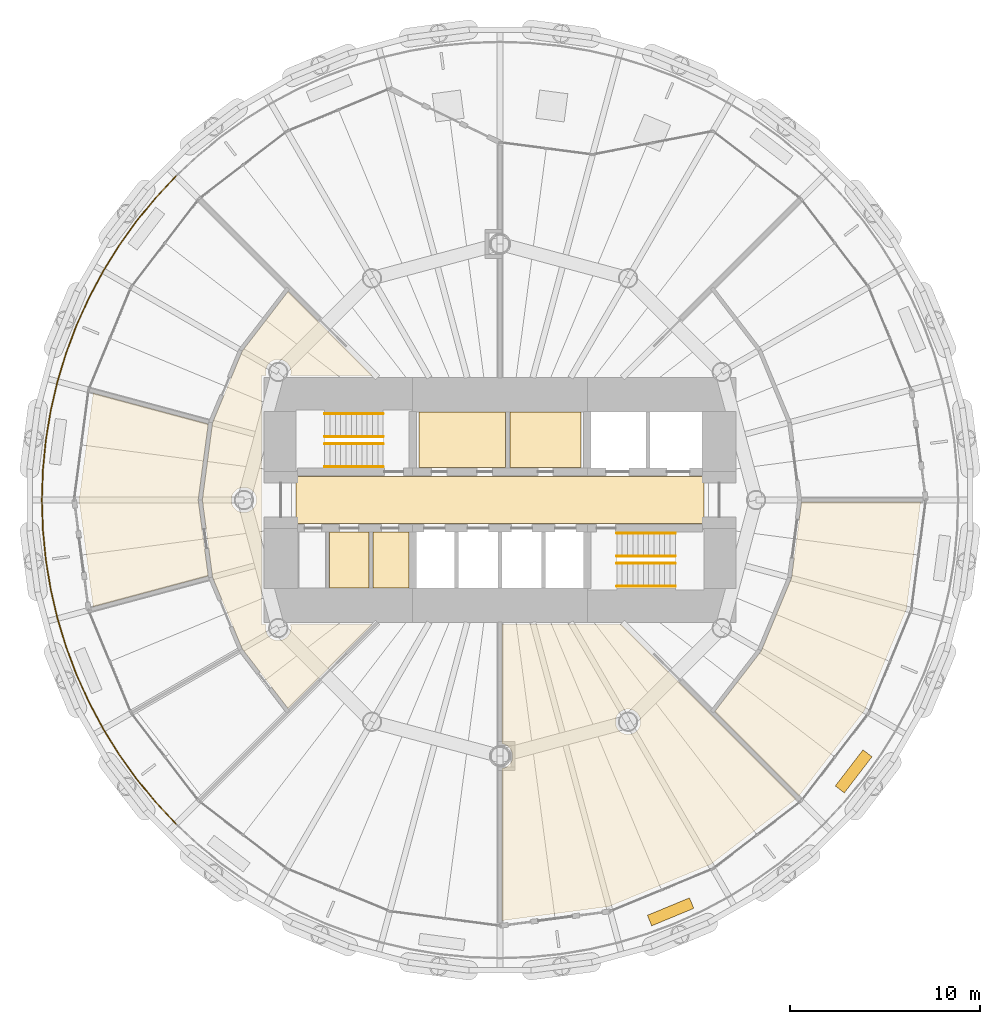
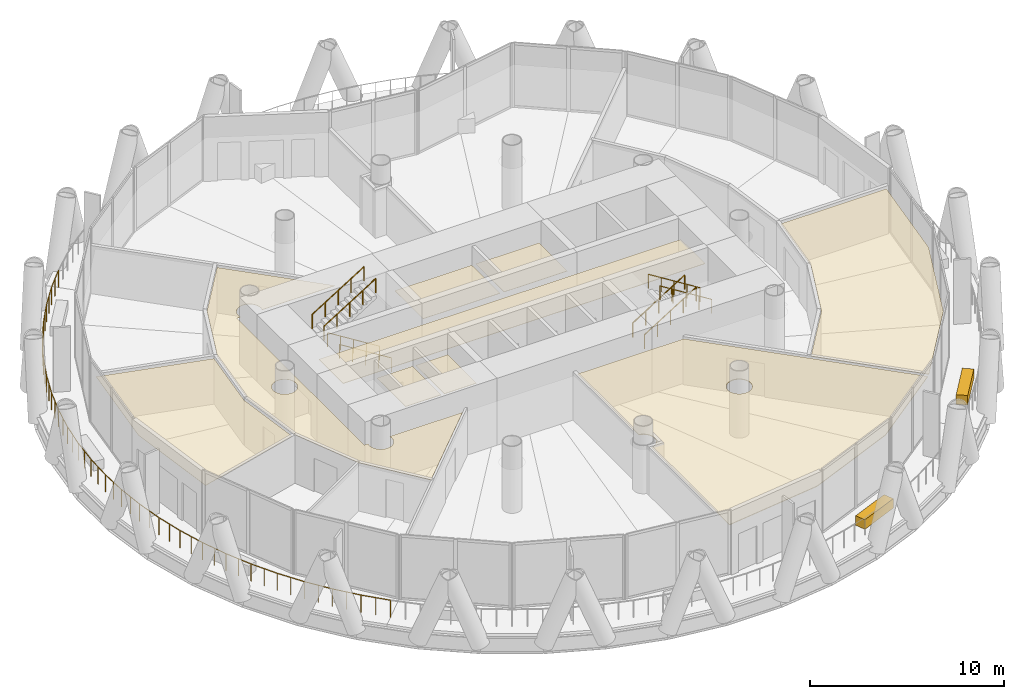
# One storey, part 13 of 15: 11 coverings, 9 railings.
"""IFC4 building model written with IfcOpenShell, lengths in metres."""

from ifc_helpers import new_model, si_unit, direction, frame, origin, origin_2d, place, context, subcontext, project, spatial, polyline, rectangle, circle, outline, extrude, material, layer, layer_set, type_object, element, save


model = new_model("IFC4")

# Units and contexts
model_context = context("Model", 3, precision=1e-05, world=origin(), true_north=direction((0.0, 1.0)))
body_context = subcontext(model_context, "Body", "Model", "MODEL_VIEW")
ifc_project = project(units=[si_unit("LENGTHUNIT", "METRE"), si_unit("AREAUNIT", "SQUARE_METRE"), si_unit("VOLUMEUNIT", "CUBIC_METRE"), si_unit("PLANEANGLEUNIT", "RADIAN"), si_unit("MASSUNIT", "GRAM", prefix="KILO")], contexts=[model_context])

# Site, building, storey
site_placement = place(None, origin())
site = spatial("IfcSite", under=ifc_project, at=site_placement, CompositionType="ELEMENT")
building_placement = place(site_placement, origin())
building = spatial("IfcBuilding", under=site, at=building_placement, Name="Qaws Media Tower", CompositionType="ELEMENT")
storey_placement = place(building_placement, frame((0.0, 0.0, 147.800048828125)))
storey = spatial("IfcBuildingStorey", under=building, at=storey_placement, Name="L33", CompositionType="ELEMENT", Elevation=147.800048828125)

# Covering
ifc_material_1 = material(Name="40 perforated acoustic panels with mineral wool backing, suspended", Category="mineral fibre")
ifc_layer_1 = layer(ifc_material_1, 0.0400390625)
ifc_layer_set_1 = layer_set([ifc_layer_1], Name="Acoustic panel ceiling 40")
covering_type_1 = type_object("IfcCoveringType", Name="Acoustic panel ceiling 40", PredefinedType="CEILING", material=ifc_layer_set_1)
covering_1_placement = place(storey_placement, frame((0.0, 0.0, 2.849853515625)))
element("IfcCovering", 1, at=covering_1_placement, inside=storey, type_object=covering_type_1, Name="CL3 ceiling L33-10 IT training room", PredefinedType="CEILING", context=body_context, shape_type="SweptSolid", body=[
    extrude(outline(polyline([(71.092529296875, 30.787109375), (65.741943359375, 28.57080078125), (60.112548828125, 27.82958984375), (60.112548828125, 35.8427734375), (60.1728515625, 35.854736328125), (60.255615234375, 35.8828125), (60.333984375, 35.92138671875), (60.40673828125, 35.969970703125), (60.472412109375, 36.027587890625), (60.530029296875, 36.09326171875), (60.57861328125, 36.166015625), (60.6171875, 36.244384765625), (60.645263671875, 36.3271484375), (60.662353515625, 36.412841796875), (60.66796875, 36.5), (60.662353515625, 36.587158203125), (60.645263671875, 36.6728515625), (60.6171875, 36.755615234375), (60.57861328125, 36.833984375), (60.530029296875, 36.90673828125), (60.472412109375, 36.972412109375), (60.40673828125, 37.030029296875), (60.333984375, 37.07861328125), (60.255615234375, 37.1171875), (60.1728515625, 37.145263671875), (60.112548828125, 37.1572265625), (60.112548828125, 43.4375), (66.4033203125, 43.4375), (75.597412109375, 34.24365234375), (71.092529296875, 30.787109375)]), holes=[polyline([(67.3671875, 38.052978515625), (67.395263671875, 38.1357421875), (67.412353515625, 38.221435546875), (67.41796875, 38.30859375), (67.412353515625, 38.395751953125), (67.395263671875, 38.4814453125), (67.3671875, 38.564208984375), (67.32861328125, 38.642578125), (67.280029296875, 38.71533203125), (67.222412109375, 38.781005859375), (67.15673828125, 38.838623046875), (67.083984375, 38.88720703125), (67.005615234375, 38.92578125), (66.9228515625, 38.953857421875), (66.837158203125, 38.970947265625), (66.75, 38.976806640625), (66.662841796875, 38.970947265625), (66.5771484375, 38.953857421875), (66.494384765625, 38.92578125), (66.416015625, 38.88720703125), (66.34326171875, 38.838623046875), (66.277587890625, 38.781005859375), (66.219970703125, 38.71533203125), (66.17138671875, 38.642578125), (66.1328125, 38.564208984375), (66.104736328125, 38.4814453125), (66.087646484375, 38.395751953125), (66.08203125, 38.30859375), (66.087646484375, 38.221435546875), (66.104736328125, 38.1357421875), (66.1328125, 38.052978515625), (66.17138671875, 37.974609375), (66.219970703125, 37.902099609375), (66.277587890625, 37.836181640625), (66.34326171875, 37.77880859375), (66.416015625, 37.730224609375), (66.494384765625, 37.69140625), (66.5771484375, 37.663330078125), (66.662841796875, 37.646484375), (66.75, 37.640625), (66.837158203125, 37.646484375), (66.9228515625, 37.663330078125), (67.005615234375, 37.69140625), (67.083984375, 37.730224609375), (67.15673828125, 37.77880859375), (67.222412109375, 37.836181640625), (67.280029296875, 37.902099609375), (67.32861328125, 37.974609375), (67.3671875, 38.052978515625)])]), origin(), (0.0, 0.0, 1.0), 0.0400390625),
])

# Railing
ifc_material_2 = material(Name="Stainless steel and glass guard", Category="steel")
railing_type_1 = type_object("IfcRailingType", Name="Balcony guard 1100", PredefinedType="GUARDRAIL", material=ifc_material_2)
railing_placement = place(storey_placement, frame((42.92333984375, 67.07666015625, 0.0)))
element("IfcRailing", 2, at=railing_placement, inside=storey, type_object=railing_type_1, Name="GR1 balcony guard L33-2", PredefinedType="GUARDRAIL", context=body_context, shape_type="SweptSolid", body=[
    extrude(circle(Radius=0.02392578125, at=origin_2d()), frame((0.0, 0.0, 1.076171875), z_axis=(-0.683555646709, -0.729898402418, 0.0), x_axis=(0.729898402418, -0.683555646709, 0.0)), (0.0, 0.0, 1.0), 1.58056640625),
    extrude(circle(Radius=0.02392578125, at=origin_2d()), frame((-1.080322265625, -1.153564453125, 1.076171875), z_axis=(-0.63440657975, -0.772999541766, 0.0), x_axis=(0.772999541766, -0.63440657975, 0.0)), (0.0, 0.0, 1.0), 1.580078125),
    extrude(circle(Radius=0.02392578125, at=origin_2d()), frame((-2.082763671875, -2.375, 1.076171875), z_axis=(-0.582508735945, -0.812824441406, 0.0), x_axis=(0.812824441406, -0.582508735945, 0.0)), (0.0, 0.0, 1.0), 1.58056640625),
    extrude(circle(Radius=0.02392578125, at=origin_2d()), frame((-3.00341796875, -3.65966796875, 1.076171875), z_axis=(-0.52803952369, -0.849219795707, 0.0), x_axis=(0.849219795707, -0.52803952369, 0.0)), (0.0, 0.0, 1.0), 1.580322265625),
    extrude(circle(Radius=0.02392578125, at=origin_2d()), frame((-3.837890625, -5.001708984375, 1.076171875), z_axis=(-0.471333764777, -0.881954920719, 0.0), x_axis=(0.881954920719, -0.471333764777, 0.0)), (0.0, 0.0, 1.0), 1.580322265625),
    extrude(circle(Radius=0.02392578125, at=origin_2d()), frame((-4.582763671875, -6.3955078125, 1.076171875), z_axis=(-0.412778439287, -0.910831466331, 0.0), x_axis=(0.910831466331, -0.412778439287, 0.0)), (0.0, 0.0, 1.0), 1.580322265625),
    extrude(circle(Radius=0.02392578125, at=origin_2d()), frame((-5.235107421875, -7.8349609375, 1.076171875), z_axis=(-0.352240609491, -0.935909479077, 0.0), x_axis=(0.935909479077, -0.352240609491, 0.0)), (0.0, 0.0, 1.0), 1.580322265625),
    extrude(circle(Radius=0.02392578125, at=origin_2d()), frame((-5.791748046875, -9.31396484375, 1.076171875), z_axis=(-0.290294671331, -0.956937304005, 0.0), x_axis=(0.956937304005, -0.290294671331, 0.0)), (0.0, 0.0, 1.0), 1.580322265625),
    extrude(circle(Radius=0.02392578125, at=origin_2d()), frame((-6.25048828125, -10.826171875, 1.076171875), z_axis=(-0.227092872212, -0.973873106411, 0.0), x_axis=(0.973873106411, -0.227092872212, 0.0)), (0.0, 0.0, 1.0), 1.580322265625),
    extrude(circle(Radius=0.02392578125, at=origin_2d()), frame((-6.609375, -12.365234375, 1.076171875), z_axis=(-0.162820588709, -0.986655692677, 0.0), x_axis=(0.986655692677, -0.162820588709, 0.0)), (0.0, 0.0, 1.0), 1.580322265625),
    extrude(circle(Radius=0.02392578125, at=origin_2d()), frame((-6.86669921875, -13.924560546875, 1.076171875), z_axis=(-0.098111534692, -0.995175425119, 0.0), x_axis=(0.995175425119, -0.098111534692, 0.0)), (0.0, 0.0, 1.0), 1.580078125),
    extrude(circle(Radius=0.02392578125, at=origin_2d()), frame((-7.021728515625, -15.4970703125, 1.076171875), z_axis=(-0.032594727249, -0.999468650712, 0.0), x_axis=(0.999468650712, -0.032594727249, 0.0)), (0.0, 0.0, 1.0), 1.580322265625),
    extrude(circle(Radius=0.02392578125, at=origin_2d()), frame((-7.0732421875, -17.07666015625, 1.076171875), z_axis=(0.032594727249, -0.999468650712, 0.0), x_axis=(0.999468650712, 0.032594727249, 0.0)), (0.0, 0.0, 1.0), 1.580322265625),
    extrude(circle(Radius=0.02392578125, at=origin_2d()), frame((-7.021728515625, -18.65625, 1.076171875), z_axis=(0.098111534692, -0.995175425119, 0.0), x_axis=(0.995175425119, 0.098111534692, 0.0)), (0.0, 0.0, 1.0), 1.580078125),
    extrude(circle(Radius=0.02392578125, at=origin_2d()), frame((-6.86669921875, -20.228759765625, 1.076171875), z_axis=(0.162820588709, -0.986655692677, 0.0), x_axis=(0.986655692677, 0.162820588709, 0.0)), (0.0, 0.0, 1.0), 1.580322265625),
    extrude(circle(Radius=0.02392578125, at=origin_2d()), frame((-6.609375, -21.7880859375, 1.076171875), z_axis=(0.227092872212, -0.973873106411, 0.0), x_axis=(0.973873106411, 0.227092872212, 0.0)), (0.0, 0.0, 1.0), 1.580322265625),
    extrude(circle(Radius=0.02392578125, at=origin_2d()), frame((-6.25048828125, -23.3271484375, 1.076171875), z_axis=(0.290294671331, -0.956937304005, 0.0), x_axis=(0.956937304005, 0.290294671331, 0.0)), (0.0, 0.0, 1.0), 1.580322265625),
    extrude(circle(Radius=0.02392578125, at=origin_2d()), frame((-5.791748046875, -24.83935546875, 1.076171875), z_axis=(0.352240609491, -0.935909479077, 0.0), x_axis=(0.935909479077, 0.352240609491, 0.0)), (0.0, 0.0, 1.0), 1.580322265625),
    extrude(circle(Radius=0.02392578125, at=origin_2d()), frame((-5.235107421875, -26.318359375, 1.076171875), z_axis=(0.412778439287, -0.910831466331, 0.0), x_axis=(0.910831466331, 0.412778439287, 0.0)), (0.0, 0.0, 1.0), 1.580322265625),
    extrude(circle(Radius=0.02392578125, at=origin_2d()), frame((-4.582763671875, -27.7578125, 1.076171875), z_axis=(0.471333764777, -0.881954920719, 0.0), x_axis=(0.881954920719, 0.471333764777, 0.0)), (0.0, 0.0, 1.0), 1.580322265625),
    extrude(circle(Radius=0.02392578125, at=origin_2d()), frame((-3.837890625, -29.151611328125, 1.076171875), z_axis=(0.52803952369, -0.849219795707, 0.0), x_axis=(0.849219795707, 0.52803952369, 0.0)), (0.0, 0.0, 1.0), 1.580322265625),
    extrude(circle(Radius=0.02392578125, at=origin_2d()), frame((-3.00341796875, -30.49365234375, 1.076171875), z_axis=(0.582508735945, -0.812824441406, 0.0), x_axis=(0.812824441406, 0.582508735945, 0.0)), (0.0, 0.0, 1.0), 1.58056640625),
    extrude(circle(Radius=0.02392578125, at=origin_2d()), frame((-2.082763671875, -31.7783203125, 1.076171875), z_axis=(0.63440657975, -0.772999541766, 0.0), x_axis=(0.772999541766, 0.63440657975, 0.0)), (0.0, 0.0, 1.0), 1.580078125),
    extrude(circle(Radius=0.02392578125, at=origin_2d()), frame((-1.080322265625, -32.999755859375, 1.076171875), z_axis=(0.683555646709, -0.729898402418, 0.0), x_axis=(0.729898402418, 0.683555646709, 0.0)), (0.0, 0.0, 1.0), 1.58056640625),
    extrude(circle(Radius=0.02099609375, at=origin_2d()), origin(), (0.0, 0.0, 1.0), 1.052001953125),
    extrude(circle(Radius=0.02099609375, at=origin_2d()), frame((-0.5400390625, -0.57666015625, 0.0)), (0.0, 0.0, 1.0), 1.052001953125),
    extrude(circle(Radius=0.02099609375, at=origin_2d()), frame((-1.080322265625, -1.153564453125, 0.0)), (0.0, 0.0, 1.0), 1.052001953125),
    extrude(circle(Radius=0.02099609375, at=origin_2d()), frame((-1.58154296875, -1.76416015625, 0.0)), (0.0, 0.0, 1.0), 1.052001953125),
    extrude(circle(Radius=0.02099609375, at=origin_2d()), frame((-2.082763671875, -2.375, 0.0)), (0.0, 0.0, 1.0), 1.052001953125),
    extrude(circle(Radius=0.02099609375, at=origin_2d()), frame((-2.54296875, -3.017333984375, 0.0)), (0.0, 0.0, 1.0), 1.052001953125),
    extrude(circle(Radius=0.02099609375, at=origin_2d()), frame((-3.00341796875, -3.65966796875, 0.0)), (0.0, 0.0, 1.0), 1.052001953125),
    extrude(circle(Radius=0.02099609375, at=origin_2d()), frame((-3.420654296875, -4.33056640625, 0.0)), (0.0, 0.0, 1.0), 1.052001953125),
    extrude(circle(Radius=0.02099609375, at=origin_2d()), frame((-3.837890625, -5.001708984375, 0.0)), (0.0, 0.0, 1.0), 1.052001953125),
    extrude(circle(Radius=0.02099609375, at=origin_2d()), frame((-4.21044921875, -5.69873046875, 0.0)), (0.0, 0.0, 1.0), 1.052001953125),
    extrude(circle(Radius=0.02099609375, at=origin_2d()), frame((-4.582763671875, -6.3955078125, 0.0)), (0.0, 0.0, 1.0), 1.052001953125),
    extrude(circle(Radius=0.02099609375, at=origin_2d()), frame((-4.908935546875, -7.115234375, 0.0)), (0.0, 0.0, 1.0), 1.052001953125),
    extrude(circle(Radius=0.02099609375, at=origin_2d()), frame((-5.235107421875, -7.8349609375, 0.0)), (0.0, 0.0, 1.0), 1.052001953125),
    extrude(circle(Radius=0.02099609375, at=origin_2d()), frame((-5.513427734375, -8.574462890625, 0.0)), (0.0, 0.0, 1.0), 1.052001953125),
    extrude(circle(Radius=0.02099609375, at=origin_2d()), frame((-5.791748046875, -9.31396484375, 0.0)), (0.0, 0.0, 1.0), 1.052001953125),
    extrude(circle(Radius=0.02099609375, at=origin_2d()), frame((-6.02099609375, -10.070068359375, 0.0)), (0.0, 0.0, 1.0), 1.052001953125),
    extrude(circle(Radius=0.02099609375, at=origin_2d()), frame((-6.25048828125, -10.826171875, 0.0)), (0.0, 0.0, 1.0), 1.052001953125),
    extrude(circle(Radius=0.02099609375, at=origin_2d()), frame((-6.429931640625, -11.595703125, 0.0)), (0.0, 0.0, 1.0), 1.052001953125),
    extrude(circle(Radius=0.02099609375, at=origin_2d()), frame((-6.609375, -12.365234375, 0.0)), (0.0, 0.0, 1.0), 1.052001953125),
    extrude(circle(Radius=0.02099609375, at=origin_2d()), frame((-6.738037109375, -13.14501953125, 0.0)), (0.0, 0.0, 1.0), 1.052001953125),
    extrude(circle(Radius=0.02099609375, at=origin_2d()), frame((-6.86669921875, -13.924560546875, 0.0)), (0.0, 0.0, 1.0), 1.052001953125),
    extrude(circle(Radius=0.02099609375, at=origin_2d()), frame((-6.9443359375, -14.7109375, 0.0)), (0.0, 0.0, 1.0), 1.052001953125),
    extrude(circle(Radius=0.02099609375, at=origin_2d()), frame((-7.021728515625, -15.4970703125, 0.0)), (0.0, 0.0, 1.0), 1.052001953125),
    extrude(circle(Radius=0.02099609375, at=origin_2d()), frame((-7.04736328125, -16.286865234375, 0.0)), (0.0, 0.0, 1.0), 1.052001953125),
    extrude(circle(Radius=0.02099609375, at=origin_2d()), frame((-7.0732421875, -17.07666015625, 0.0)), (0.0, 0.0, 1.0), 1.052001953125),
    extrude(circle(Radius=0.02099609375, at=origin_2d()), frame((-7.04736328125, -17.866455078125, 0.0)), (0.0, 0.0, 1.0), 1.052001953125),
    extrude(circle(Radius=0.02099609375, at=origin_2d()), frame((-7.021728515625, -18.65625, 0.0)), (0.0, 0.0, 1.0), 1.052001953125),
    extrude(circle(Radius=0.02099609375, at=origin_2d()), frame((-6.9443359375, -19.4423828125, 0.0)), (0.0, 0.0, 1.0), 1.052001953125),
    extrude(circle(Radius=0.02099609375, at=origin_2d()), frame((-6.86669921875, -20.228759765625, 0.0)), (0.0, 0.0, 1.0), 1.052001953125),
    extrude(circle(Radius=0.02099609375, at=origin_2d()), frame((-6.738037109375, -21.00830078125, 0.0)), (0.0, 0.0, 1.0), 1.052001953125),
    extrude(circle(Radius=0.02099609375, at=origin_2d()), frame((-6.609375, -21.7880859375, 0.0)), (0.0, 0.0, 1.0), 1.052001953125),
    extrude(circle(Radius=0.02099609375, at=origin_2d()), frame((-6.429931640625, -22.5576171875, 0.0)), (0.0, 0.0, 1.0), 1.052001953125),
    extrude(circle(Radius=0.02099609375, at=origin_2d()), frame((-6.25048828125, -23.3271484375, 0.0)), (0.0, 0.0, 1.0), 1.052001953125),
    extrude(circle(Radius=0.02099609375, at=origin_2d()), frame((-6.02099609375, -24.083251953125, 0.0)), (0.0, 0.0, 1.0), 1.052001953125),
    extrude(circle(Radius=0.02099609375, at=origin_2d()), frame((-5.791748046875, -24.83935546875, 0.0)), (0.0, 0.0, 1.0), 1.052001953125),
    extrude(circle(Radius=0.02099609375, at=origin_2d()), frame((-5.513427734375, -25.578857421875, 0.0)), (0.0, 0.0, 1.0), 1.052001953125),
    extrude(circle(Radius=0.02099609375, at=origin_2d()), frame((-5.235107421875, -26.318359375, 0.0)), (0.0, 0.0, 1.0), 1.052001953125),
    extrude(circle(Radius=0.02099609375, at=origin_2d()), frame((-4.908935546875, -27.0380859375, 0.0)), (0.0, 0.0, 1.0), 1.052001953125),
    extrude(circle(Radius=0.02099609375, at=origin_2d()), frame((-4.582763671875, -27.7578125, 0.0)), (0.0, 0.0, 1.0), 1.052001953125),
    extrude(circle(Radius=0.02099609375, at=origin_2d()), frame((-4.21044921875, -28.45458984375, 0.0)), (0.0, 0.0, 1.0), 1.052001953125),
    extrude(circle(Radius=0.02099609375, at=origin_2d()), frame((-3.837890625, -29.151611328125, 0.0)), (0.0, 0.0, 1.0), 1.052001953125),
    extrude(circle(Radius=0.02099609375, at=origin_2d()), frame((-3.420654296875, -29.82275390625, 0.0)), (0.0, 0.0, 1.0), 1.052001953125),
    extrude(circle(Radius=0.02099609375, at=origin_2d()), frame((-3.00341796875, -30.49365234375, 0.0)), (0.0, 0.0, 1.0), 1.052001953125),
    extrude(circle(Radius=0.02099609375, at=origin_2d()), frame((-2.54296875, -31.135986328125, 0.0)), (0.0, 0.0, 1.0), 1.052001953125),
    extrude(circle(Radius=0.02099609375, at=origin_2d()), frame((-2.082763671875, -31.7783203125, 0.0)), (0.0, 0.0, 1.0), 1.052001953125),
    extrude(circle(Radius=0.02099609375, at=origin_2d()), frame((-1.58154296875, -32.38916015625, 0.0)), (0.0, 0.0, 1.0), 1.052001953125),
    extrude(circle(Radius=0.02099609375, at=origin_2d()), frame((-1.080322265625, -32.999755859375, 0.0)), (0.0, 0.0, 1.0), 1.052001953125),
    extrude(circle(Radius=0.02099609375, at=origin_2d()), frame((-0.5400390625, -33.57666015625, 0.0)), (0.0, 0.0, 1.0), 1.052001953125),
    extrude(circle(Radius=0.02099609375, at=origin_2d()), frame((0.0, -34.1533203125, 0.0)), (0.0, 0.0, 1.0), 1.052001953125),
])

# Coverings
ifc_material_3 = material(Name="600 x 600 mineral fibre tiles in exposed grid, suspended", Category="mineral fibre")
ifc_layer_2 = layer(ifc_material_3, 0.02001953125)
ifc_layer_set_2 = layer_set([ifc_layer_2], Name="Mineral fibre tile ceiling 20")
covering_type_2 = type_object("IfcCoveringType", Name="Mineral fibre tile ceiling 20", PredefinedType="CEILING", material=ifc_layer_set_2)
covering_2_placement = place(storey_placement, frame((0.0, 0.0, 2.849853515625)))
element("IfcCovering", 3, at=covering_2_placement, inside=storey, type_object=covering_type_2, Name="CL1 ceiling L33-C07 Ladies toilets", PredefinedType="CEILING", context=body_context, shape_type="SweptSolid", body=[
    extrude(outline(polyline([(55.719970703125, 51.719970703125), (55.719970703125, 54.6298828125), (60.280029296875, 54.6298828125), (60.280029296875, 51.719970703125), (55.719970703125, 51.719970703125)])), origin(), (0.0, 0.0, 1.0), 0.02001953125),
])
covering_3_placement = place(storey_placement, frame((0.0, 0.0, 2.849853515625)))
element("IfcCovering", 4, at=covering_3_placement, inside=storey, type_object=covering_type_2, Name="CL1 ceiling L33-C08 Gents toilets", PredefinedType="CEILING", context=body_context, shape_type="SweptSolid", body=[
    extrude(outline(polyline([(60.52001953125, 51.719970703125), (60.52001953125, 54.6298828125), (64.280029296875, 54.6298828125), (64.280029296875, 51.719970703125), (60.52001953125, 51.719970703125)])), origin(), (0.0, 0.0, 1.0), 0.02001953125),
])
covering_4_placement = place(storey_placement, frame((0.0, 0.0, 2.849853515625)))
element("IfcCovering", 5, at=covering_4_placement, inside=storey, type_object=covering_type_2, Name="CL1 ceiling L33-01-1 Corridor", PredefinedType="CEILING", context=body_context, shape_type="SweptSolid", body=[
    extrude(outline(polyline([(44.3134765625, 50.0), (44.847900390625, 54.06005859375), (46.4150390625, 57.84326171875), (48.8388671875, 61.001953125), (53.2783203125, 56.5625), (48.948974609375, 56.5625), (48.953857421875, 56.5771484375), (48.970947265625, 56.662841796875), (48.976806640625, 56.75), (48.970947265625, 56.837158203125), (48.953857421875, 56.9228515625), (48.92578125, 57.005615234375), (48.88720703125, 57.083984375), (48.838623046875, 57.15673828125), (48.781005859375, 57.222412109375), (48.71533203125, 57.280029296875), (48.642578125, 57.32861328125), (48.564208984375, 57.3671875), (48.4814453125, 57.395263671875), (48.395751953125, 57.412353515625), (48.30859375, 57.41796875), (48.221435546875, 57.412353515625), (48.1357421875, 57.395263671875), (48.052978515625, 57.3671875), (47.974609375, 57.32861328125), (47.902099609375, 57.280029296875), (47.836181640625, 57.222412109375), (47.77880859375, 57.15673828125), (47.730224609375, 57.083984375), (47.69140625, 57.005615234375), (47.663330078125, 56.9228515625), (47.646484375, 56.837158203125), (47.640625, 56.75), (47.646484375, 56.662841796875), (47.663330078125, 56.5771484375), (47.66845703125, 56.5625), (47.4375, 56.5625), (47.4375, 43.4375), (47.66845703125, 43.4375), (47.663330078125, 43.4228515625), (47.646484375, 43.337158203125), (47.640625, 43.25), (47.646484375, 43.162841796875), (47.663330078125, 43.0771484375), (47.69140625, 42.994384765625), (47.730224609375, 42.916015625), (47.77880859375, 42.84326171875), (47.836181640625, 42.777587890625), (47.902099609375, 42.719970703125), (47.974609375, 42.67138671875), (48.052978515625, 42.6328125), (48.1357421875, 42.604736328125), (48.221435546875, 42.587646484375), (48.30859375, 42.58203125), (48.395751953125, 42.587646484375), (48.4814453125, 42.604736328125), (48.564208984375, 42.6328125), (48.642578125, 42.67138671875), (48.71533203125, 42.719970703125), (48.781005859375, 42.777587890625), (48.838623046875, 42.84326171875), (48.88720703125, 42.916015625), (48.92578125, 42.994384765625), (48.953857421875, 43.0771484375), (48.970947265625, 43.162841796875), (48.976806640625, 43.25), (48.970947265625, 43.337158203125), (48.953857421875, 43.4228515625), (48.948974609375, 43.4375), (53.2783203125, 43.4375), (48.8388671875, 38.998046875), (46.4150390625, 42.15673828125), (44.847900390625, 45.93994140625), (44.3134765625, 50.0)]), holes=[polyline([(47.1171875, 49.744384765625), (47.145263671875, 49.8271484375), (47.162353515625, 49.912841796875), (47.16796875, 50.0), (47.162353515625, 50.087158203125), (47.145263671875, 50.1728515625), (47.1171875, 50.255615234375), (47.07861328125, 50.333984375), (47.030029296875, 50.40673828125), (46.972412109375, 50.472412109375), (46.90673828125, 50.530029296875), (46.833984375, 50.57861328125), (46.755615234375, 50.6171875), (46.6728515625, 50.645263671875), (46.587158203125, 50.662353515625), (46.5, 50.66796875), (46.412841796875, 50.662353515625), (46.3271484375, 50.645263671875), (46.244384765625, 50.6171875), (46.166015625, 50.57861328125), (46.09326171875, 50.530029296875), (46.027587890625, 50.472412109375), (45.969970703125, 50.40673828125), (45.92138671875, 50.333984375), (45.8828125, 50.255615234375), (45.854736328125, 50.1728515625), (45.837646484375, 50.087158203125), (45.83203125, 50.0), (45.837646484375, 49.912841796875), (45.854736328125, 49.8271484375), (45.8828125, 49.744384765625), (45.92138671875, 49.666015625), (45.969970703125, 49.59326171875), (46.027587890625, 49.527587890625), (46.09326171875, 49.469970703125), (46.166015625, 49.42138671875), (46.244384765625, 49.3828125), (46.3271484375, 49.354736328125), (46.412841796875, 49.337646484375), (46.5, 49.33203125), (46.587158203125, 49.337646484375), (46.6728515625, 49.354736328125), (46.755615234375, 49.3828125), (46.833984375, 49.42138671875), (46.90673828125, 49.469970703125), (46.972412109375, 49.527587890625), (47.030029296875, 49.59326171875), (47.07861328125, 49.666015625), (47.1171875, 49.744384765625)])]), origin(), (0.0, 0.0, 1.0), 0.02001953125),
])
covering_5_placement = place(storey_placement, frame((0.0, 0.0, 2.849853515625)))
element("IfcCovering", 6, at=covering_5_placement, inside=storey, type_object=covering_type_2, Name="CL1 ceiling L33-06 Server room", PredefinedType="CEILING", context=body_context, shape_type="SweptSolid", body=[
    extrude(outline(polyline([(37.814697265625, 50.0), (38.555908203125, 55.62939453125), (44.614013671875, 54.006103515625), (44.08642578125, 50.0), (44.614013671875, 45.993896484375), (38.555908203125, 44.37060546875), (37.814697265625, 50.0)])), origin(), (0.0, 0.0, 1.0), 0.02001953125),
])
covering_6_placement = place(storey_placement, frame((0.0, 0.0, 2.849853515625)))
element("IfcCovering", 7, at=covering_6_placement, inside=storey, type_object=covering_type_2, Name="CL1 ceiling L33-C06 Mothers' room", PredefinedType="CEILING", context=body_context, shape_type="SweptSolid", body=[
    extrude(outline(polyline([(53.300048828125, 45.35009765625), (53.300048828125, 48.300048828125), (55.199951171875, 48.300048828125), (55.199951171875, 45.35009765625), (53.300048828125, 45.35009765625)])), origin(), (0.0, 0.0, 1.0), 0.02001953125),
])
ifc_material_4 = material(Name="Precast concrete planter with trailing planting", Category="concrete")
ifc_layer_3 = layer(ifc_material_4, 0.60009765625)
ifc_layer_set_3 = layer_set([ifc_layer_3], Name="Planter 2400x600")
covering_type_3 = type_object("IfcCoveringType", Name="Planter 2400x600", PredefinedType="USERDEFINED", material=ifc_layer_set_3)
for number, where, z_axis, x_axis, name in (
    (8, (68.9931640625, 28.288818359375, 0.0), (0.0, 0.0, 1.0), (0.923879532511, 0.382683432365, 0.0), "PL1 balcony planter L33-10"),
    (9, (78.643798828125, 35.694091796875, 0.0), (0.0, 0.0, 1.0), (0.608761429009, 0.793353340291, 0.0), "PL1 balcony planter L33-11"),
):
    element("IfcCovering", number, at=place(storey_placement, frame(where, z_axis=z_axis, x_axis=x_axis)), inside=storey, type_object=covering_type_3, Name=name, ObjectType="PLANTER", PredefinedType="USERDEFINED", context=body_context, shape_type="SweptSolid", body=[
        extrude(rectangle(XDim=2.39990234375, YDim=0.60009765625, at=origin_2d()), origin(), (0.0, 0.0, 1.0), 0.60009765625),
    ])
ifc_material_5 = material(Name="Two layers 12.5 moisture-resistant plasterboard on suspended metal furring", Category="gypsum")
ifc_layer_4 = layer(ifc_material_5, 0.02490234375)
ifc_layer_set_4 = layer_set([ifc_layer_4], Name="Plasterboard ceiling 25")
covering_type_4 = type_object("IfcCoveringType", Name="Plasterboard ceiling 25", PredefinedType="CEILING", material=ifc_layer_set_4)
covering_7_placement = place(storey_placement, frame((0.0, 0.0, 2.849853515625)))
element("IfcCovering", 10, at=covering_7_placement, inside=storey, type_object=covering_type_4, Name="CL2 ceiling L33-C01 Lift lobby", PredefinedType="CEILING", context=body_context, shape_type="SweptSolid", body=[
    extrude(outline(polyline([(49.25, 48.75), (49.25, 51.25), (70.75, 51.25), (70.75, 48.75), (49.25, 48.75)])), origin(), (0.0, 0.0, 1.0), 0.025146484375),
])
covering_8_placement = place(storey_placement, frame((0.0, 0.0, 2.849853515625)))
element("IfcCovering", 11, at=covering_8_placement, inside=storey, type_object=covering_type_4, Name="CL2 ceiling L33-11 IT service office", PredefinedType="CEILING", context=body_context, shape_type="SweptSolid", body=[
    extrude(outline(polyline([(81.42919921875, 44.258056640625), (79.212890625, 38.907470703125), (75.75634765625, 34.402587890625), (71.321533203125, 38.83740234375), (73.781494140625, 42.043212890625), (75.37109375, 45.88134765625), (75.898681640625, 49.887451171875), (82.17041015625, 49.887451171875), (81.42919921875, 44.258056640625)])), origin(), (0.0, 0.0, 1.0), 0.025146484375),
])
covering_9_placement = place(storey_placement, frame((0.0, 0.0, 2.849853515625)))
element("IfcCovering", 12, at=covering_9_placement, inside=storey, type_object=covering_type_4, Name="CL2 ceiling L33-C05 Accessible WC", PredefinedType="CEILING", context=body_context, shape_type="SweptSolid", body=[
    extrude(outline(polyline([(51.0, 45.35009765625), (51.0, 48.300048828125), (53.10009765625, 48.300048828125), (53.10009765625, 45.35009765625), (51.0, 45.35009765625)])), origin(), (0.0, 0.0, 1.0), 0.025146484375),
])

# Railings
ifc_material_6 = material(Name="Steel tube handrail", Category="steel")
railing_type_2 = type_object("IfcRailingType", Name="Stair handrail 900", PredefinedType="HANDRAIL", material=ifc_material_6)
for number, where, name in (
    (13, (53.840087890625, 51.75, 0.175048828125), "HR1 handrail S1 flight 1 L33"),
    (14, (53.840087890625, 52.9599609375, 0.175048828125), "HR1 handrail S1 flight 1 L33"),
):
    element("IfcRailing", number, at=place(storey_placement, frame(where)), inside=storey, type_object=railing_type_2, Name=name, PredefinedType="HANDRAIL", context=body_context, shape_type="SweptSolid", body=[
        extrude(circle(Radius=0.02392578125, at=origin_2d()), frame((0.0, 0.0, 0.8759765625), z_axis=(-0.848028513186, 0.0, 0.529950602248), x_axis=(0.0, -1.0, 0.0)), (0.0, 0.0, 1.0), 3.632080078125),
        extrude(circle(Radius=0.02099609375, at=origin_2d()), origin(), (0.0, 0.0, 1.0), 0.851806640625),
        extrude(circle(Radius=0.02099609375, at=origin_2d()), frame((-0.77001953125, 0.0, 0.481201171875)), (0.0, 0.0, 1.0), 0.851806640625),
        extrude(circle(Radius=0.02099609375, at=origin_2d()), frame((-1.5400390625, 0.0, 0.96240234375)), (0.0, 0.0, 1.0), 0.851806640625),
        extrude(circle(Radius=0.02099609375, at=origin_2d()), frame((-2.31005859375, 0.0, 1.443603515625)), (0.0, 0.0, 1.0), 0.851806640625),
        extrude(circle(Radius=0.02099609375, at=origin_2d()), frame((-3.080078125, 0.0, 1.9248046875)), (0.0, 0.0, 1.0), 0.851806640625),
    ])
for number, where, name in (
    (15, (50.760009765625, 54.550048828125, 2.27490234375), "HR1 handrail S1 flight 2 L33"),
    (16, (50.760009765625, 53.340087890625, 2.27490234375), "HR1 handrail S1 flight 2 L33"),
):
    element("IfcRailing", number, at=place(storey_placement, frame(where)), inside=storey, type_object=railing_type_2, Name=name, PredefinedType="HANDRAIL", context=body_context, shape_type="SweptSolid", body=[
        extrude(circle(Radius=0.02392578125, at=origin_2d()), frame((0.0, 0.0, 0.8759765625), z_axis=(0.847998304005, 0.0, 0.529998940003), x_axis=(0.0, 1.0, 0.0)), (0.0, 0.0, 1.0), 3.632080078125),
        extrude(circle(Radius=0.02099609375, at=origin_2d()), origin(), (0.0, 0.0, 1.0), 0.851806640625),
        extrude(circle(Radius=0.02099609375, at=origin_2d()), frame((0.77001953125, 0.0, 0.481201171875)), (0.0, 0.0, 1.0), 0.851806640625),
        extrude(circle(Radius=0.02099609375, at=origin_2d()), frame((1.5400390625, 0.0, 0.96240234375)), (0.0, 0.0, 1.0), 0.851806640625),
        extrude(circle(Radius=0.02099609375, at=origin_2d()), frame((2.31005859375, 0.0, 1.44384765625)), (0.0, 0.0, 1.0), 0.851806640625),
        extrude(circle(Radius=0.02099609375, at=origin_2d()), frame((3.080078125, 0.0, 1.925048828125)), (0.0, 0.0, 1.0), 0.851806640625),
    ])
for number, where, name in (
    (17, (66.159912109375, 48.25, 0.175048828125), "HR1 handrail S2 flight 1 L33"),
    (18, (66.159912109375, 47.0400390625, 0.175048828125), "HR1 handrail S2 flight 1 L33"),
):
    element("IfcRailing", number, at=place(storey_placement, frame(where)), inside=storey, type_object=railing_type_2, Name=name, PredefinedType="HANDRAIL", context=body_context, shape_type="SweptSolid", body=[
        extrude(circle(Radius=0.02392578125, at=origin_2d()), frame((0.0, 0.0, 0.8759765625), z_axis=(0.848028513186, 0.0, 0.529950602248), x_axis=(0.0, 1.0, 0.0)), (0.0, 0.0, 1.0), 3.632080078125),
        extrude(circle(Radius=0.02099609375, at=origin_2d()), origin(), (0.0, 0.0, 1.0), 0.851806640625),
        extrude(circle(Radius=0.02099609375, at=origin_2d()), frame((0.77001953125, 0.0, 0.481201171875)), (0.0, 0.0, 1.0), 0.851806640625),
        extrude(circle(Radius=0.02099609375, at=origin_2d()), frame((1.5400390625, 0.0, 0.96240234375)), (0.0, 0.0, 1.0), 0.851806640625),
        extrude(circle(Radius=0.02099609375, at=origin_2d()), frame((2.31005859375, 0.0, 1.443603515625)), (0.0, 0.0, 1.0), 0.851806640625),
        extrude(circle(Radius=0.02099609375, at=origin_2d()), frame((3.080078125, 0.0, 1.9248046875)), (0.0, 0.0, 1.0), 0.851806640625),
    ])
for number, where, name in (
    (19, (69.239990234375, 45.449951171875, 2.27490234375), "HR1 handrail S2 flight 2 L33"),
    (20, (69.239990234375, 46.659912109375, 2.27490234375), "HR1 handrail S2 flight 2 L33"),
):
    element("IfcRailing", number, at=place(storey_placement, frame(where)), inside=storey, type_object=railing_type_2, Name=name, PredefinedType="HANDRAIL", context=body_context, shape_type="SweptSolid", body=[
        extrude(circle(Radius=0.02392578125, at=origin_2d()), frame((0.0, 0.0, 0.8759765625), z_axis=(-0.847998304005, 0.0, 0.529998940003), x_axis=(0.0, -1.0, 0.0)), (0.0, 0.0, 1.0), 3.632080078125),
        extrude(circle(Radius=0.02099609375, at=origin_2d()), origin(), (0.0, 0.0, 1.0), 0.851806640625),
        extrude(circle(Radius=0.02099609375, at=origin_2d()), frame((-0.77001953125, 0.0, 0.481201171875)), (0.0, 0.0, 1.0), 0.851806640625),
        extrude(circle(Radius=0.02099609375, at=origin_2d()), frame((-1.5400390625, 0.0, 0.96240234375)), (0.0, 0.0, 1.0), 0.851806640625),
        extrude(circle(Radius=0.02099609375, at=origin_2d()), frame((-2.31005859375, 0.0, 1.44384765625)), (0.0, 0.0, 1.0), 0.851806640625),
        extrude(circle(Radius=0.02099609375, at=origin_2d()), frame((-3.080078125, 0.0, 1.925048828125)), (0.0, 0.0, 1.0), 0.851806640625),
    ])

save(model, "model.ifc")
